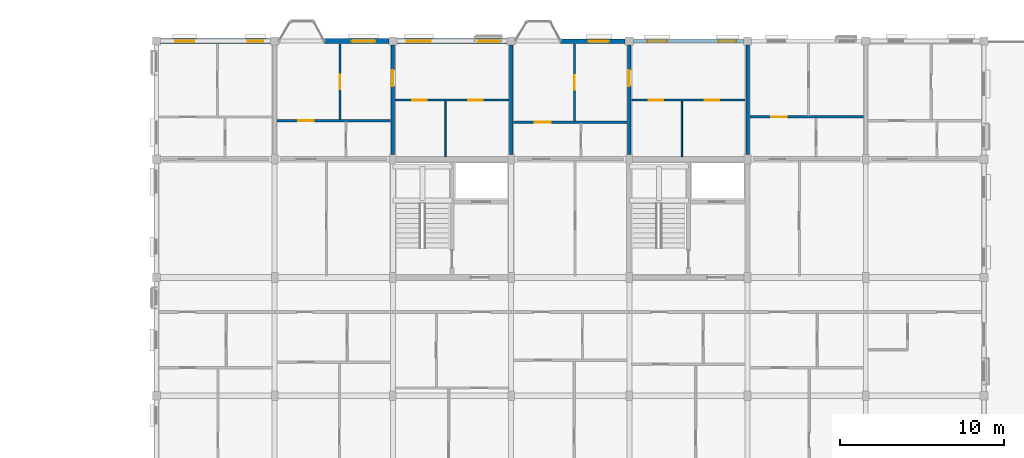
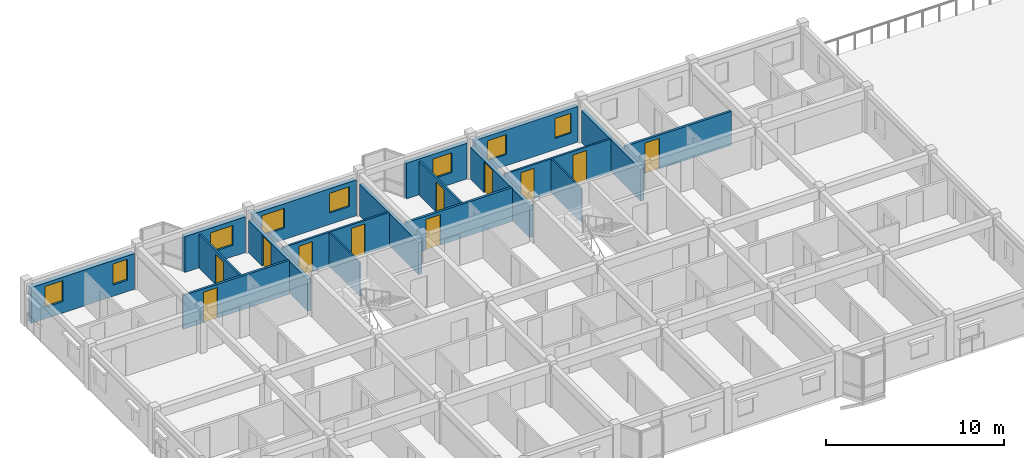
# One storey, part 56 of 64: 18 walls, 11 doors, 8 windows, 19 openings.
"""IFC4 building model written with IfcOpenShell, lengths in metres."""

import ifcopenshell
import ifcopenshell.guid

model = None  # the IFC model being written
_history = None  # IfcOwnerHistory: only IFC2X3 demands one
_inside = {}  # id of a spatial element -> (the spatial element, [elements in it])
_under = {}  # id of a project, library or spatial element -> (it, [spatial elements below it])
_declared = {}  # id of a project -> (the project, [libraries it declares])
_typed = {}  # id of a type object -> (the type object, [elements of that type])
_made_of = {}  # id of a material, layer set ... -> (it, [elements and type objects made of it])


def new_model(schema):
    """Start an empty IFC model of exactly this schema.

    Asked for "IFC4X3", IfcOpenShell would pick the latest addendum, in which some entities
    have other attributes; the version numbers below select the first issue.
    IFC2X3 requires an IfcOwnerHistory on every rooted entity: one is made here for all.
    """
    global model, _history
    if schema == "IFC4X3":
        model = ifcopenshell.file(schema_version=(4, 3, 0, 0))
    else:
        model = ifcopenshell.file(schema=schema)
    _inside.clear()
    _under.clear()
    _declared.clear()
    _typed.clear()
    _made_of.clear()
    _history = None
    if model.schema == "IFC2X3":
        org = make("IfcOrganization", Name="unknown")
        user = make(
            "IfcPersonAndOrganization",
            ThePerson=make("IfcPerson", FamilyName="unknown"),
            TheOrganization=org,
        )
        app = make(
            "IfcApplication",
            ApplicationDeveloper=org,
            Version="unknown",
            ApplicationFullName="unknown",
            ApplicationIdentifier="unknown",
        )
        _history = make(
            "IfcOwnerHistory",
            OwningUser=user,
            OwningApplication=app,
            ChangeAction="ADDED",
            CreationDate=0,
        )
    return model


def make(cls, **values):
    """One entity of the class cls with the attributes given. An attribute that is None is left unset."""
    return model.create_entity(
        cls, **{name: value for name, value in values.items() if value is not None}
    )


def rooted(cls, **values):
    """An entity with a GlobalId (a new one), such as an element, a storey or a relation."""
    return make(cls, GlobalId=ifcopenshell.guid.new(), OwnerHistory=_history, **values)


def si_unit(unit_type, name, prefix=None):
    """IfcSIUnit, for example si_unit("LENGTHUNIT", "METRE", prefix="MILLI")."""
    return make("IfcSIUnit", UnitType=unit_type, Prefix=prefix, Name=name)


def assignment(units):
    """IfcUnitAssignment: the units of a project."""
    return None if units is None else make("IfcUnitAssignment", Units=units)


def point(xyz):
    """IfcCartesianPoint."""
    return None if xyz is None else make("IfcCartesianPoint", Coordinates=xyz)


def direction(xyz):
    """IfcDirection."""
    return None if xyz is None else make("IfcDirection", DirectionRatios=xyz)


def frame(location, z_axis=None, x_axis=None):
    """IfcAxis2Placement3D, a coordinate frame: its origin and axes. An axis left out is left unset."""
    return make(
        "IfcAxis2Placement3D",
        Location=point(location),
        Axis=direction(z_axis),
        RefDirection=direction(x_axis),
    )


def frame_2d(location, x_axis=None):
    """IfcAxis2Placement2D, a coordinate frame in the plane: its origin and x axis."""
    return make(
        "IfcAxis2Placement2D", Location=point(location), RefDirection=direction(x_axis)
    )


def origin():
    """The frame at (0, 0, 0) with its axes left unset."""
    return frame((0.0, 0.0, 0.0))


def place(relative_to, where):
    """IfcLocalPlacement: puts the frame where relative to a parent placement (None: the world)."""
    return make(
        "IfcLocalPlacement", PlacementRelTo=relative_to, RelativePlacement=where
    )


def context(
    kind, dimensions, precision=None, world=None, true_north=None, identifier=None
):
    """IfcGeometricRepresentationContext, for example the 3D "Model" context."""
    return make(
        "IfcGeometricRepresentationContext",
        ContextIdentifier=identifier,
        ContextType=kind,
        CoordinateSpaceDimension=dimensions,
        Precision=precision,
        WorldCoordinateSystem=world,
        TrueNorth=true_north,
    )


def subcontext(parent, identifier, kind, view, scale=None):
    """IfcGeometricRepresentationSubContext, for example "Body" below "Model"."""
    return make(
        "IfcGeometricRepresentationSubContext",
        ContextIdentifier=identifier,
        ContextType=kind,
        ParentContext=parent,
        TargetScale=scale,
        TargetView=view,
    )


def project(units=None, contexts=None):
    """IfcProject with its units and contexts."""
    return rooted(
        "IfcProject",
        Name="project",
        RepresentationContexts=contexts,
        UnitsInContext=assignment(units),
    )


def spatial(cls, under=None, at=None, **own):
    """A site, building, storey or space (cls), placed at a placement, below another one or the project."""
    s = rooted(cls, ObjectPlacement=at, **own)
    if under is not None:
        _under.setdefault(under.id(), (under, []))[1].append(s)
    return s


def profile(cls, at=None, kind="AREA", **sizes):
    """A parametric profile (cls). Its sizes go by their IFC names, for example OverallWidth=200.0."""
    return make(cls, ProfileType=kind, Position=at, **sizes)


def rectangle(**sizes):
    """IfcRectangleProfileDef."""
    return profile("IfcRectangleProfileDef", **sizes)


def extrude(swept, where, along, depth):
    """IfcExtrudedAreaSolid: the profile swept, set in the frame where, extruded along a direction by depth."""
    return make(
        "IfcExtrudedAreaSolid",
        SweptArea=swept,
        Position=where,
        ExtrudedDirection=direction(along),
        Depth=depth,
    )


def shape(context_of_items, identifier, shape_type, items):
    """IfcShapeRepresentation: the items that make up one representation, for example the "Body"."""
    return make(
        "IfcShapeRepresentation",
        ContextOfItems=context_of_items,
        RepresentationIdentifier=identifier,
        RepresentationType=shape_type,
        Items=items,
    )


def material(Name=None, Category=None):
    """IfcMaterial."""
    return make("IfcMaterial", Name=Name, Category=Category)


def layer(
    of_material, thickness, ventilated=None, Name=None, Category=None, Priority=None
):
    """IfcMaterialLayer: one layer of a wall or slab, of a material (None: an air gap)."""
    return make(
        "IfcMaterialLayer",
        Material=of_material,
        LayerThickness=thickness,
        IsVentilated=ventilated,
        Name=Name,
        Category=Category,
        Priority=Priority,
    )


def layer_set(layers, Name=None):
    """IfcMaterialLayerSet."""
    return make("IfcMaterialLayerSet", MaterialLayers=layers, LayerSetName=Name)


def made_of(thing, what):
    """Note that an element or type object is made of a material, layer set ...; save() writes the relation."""
    if what is not None:
        _made_of.setdefault(what.id(), (what, []))[1].append(thing)
    return thing


def type_object(cls, material=None, **own):
    """A type object (cls), such as IfcWallType, which elements share."""
    return made_of(rooted(cls, **own), material)


def element(
    cls,
    number,
    at=None,
    inside=None,
    cuts=None,
    type_object=None,
    material=None,
    context=None,
    identifier="Body",
    shape_type=None,
    held_by="IfcProductDefinitionShape",
    body=None,
    shapes=None,
    **own,
):
    """One element of the class cls, such as IfcWall. Its Tag is "e" and its number.

    at: its placement. inside: the storey or other place that contains it. cuts: it is an
    opening in that element (IfcRelVoidsElement). A single representation is given by context,
    identifier, shape_type and body (its items); several are given by shapes. held_by: the class
    of the entity that holds the representations. save() writes the other relations.
    """
    e = rooted(cls, Tag="e%d" % number, ObjectPlacement=at, **own)
    if body is not None:
        shapes = [shape(context, identifier, shape_type, body)]
    if shapes is not None:
        e.Representation = make(held_by, Representations=shapes)
    if inside is not None:
        _inside.setdefault(inside.id(), (inside, []))[1].append(e)
    if cuts is not None:
        rooted(
            "IfcRelVoidsElement", RelatingBuildingElement=cuts, RelatedOpeningElement=e
        )
    if type_object is not None:
        _typed.setdefault(type_object.id(), (type_object, []))[1].append(e)
    return made_of(e, material)


def fill(opening, filler):
    """IfcRelFillsElement: the door or window that sits in an opening."""
    return rooted(
        "IfcRelFillsElement",
        RelatingOpeningElement=opening,
        RelatedBuildingElement=filler,
    )


def aggregate(whole, parts):
    """IfcRelAggregates: a whole, such as a stair, and the parts it consists of."""
    return rooted("IfcRelAggregates", RelatingObject=whole, RelatedObjects=parts)


def save(model, path):
    """Write the relations noted so far, then the file.

    IfcRelAggregates (storeys below a building ...), IfcRelContainedInSpatialStructure (elements
    in a storey), IfcRelDefinesByType, IfcRelAssociatesMaterial and IfcRelDeclares: one each for
    every whole, place, type object, material and project.
    """
    for whole, parts in _under.values():
        aggregate(whole, parts)
    for where, things in _inside.values():
        rooted(
            "IfcRelContainedInSpatialStructure",
            RelatedElements=things,
            RelatingStructure=where,
        )
    for kind, things in _typed.values():
        rooted("IfcRelDefinesByType", RelatedObjects=things, RelatingType=kind)
    for what, things in _made_of.values():
        rooted("IfcRelAssociatesMaterial", RelatedObjects=things, RelatingMaterial=what)
    for by, libraries in _declared.values():
        rooted("IfcRelDeclares", RelatingContext=by, RelatedDefinitions=libraries)
    model.write(path)


model = new_model("IFC4")

# Units and contexts
model_context = context("Model", 3, precision=1e-05, world=origin(), true_north=direction((0.0, 1.0)))
body_context = subcontext(model_context, "Body", "Model", "MODEL_VIEW")
ifc_project = project(units=[si_unit("LENGTHUNIT", "METRE"), si_unit("AREAUNIT", "SQUARE_METRE"), si_unit("VOLUMEUNIT", "CUBIC_METRE"), si_unit("PLANEANGLEUNIT", "RADIAN"), si_unit("MASSUNIT", "GRAM", prefix="KILO"), si_unit("THERMODYNAMICTEMPERATUREUNIT", "KELVIN"), si_unit("POWERUNIT", "WATT")], contexts=[model_context])

# Site, building, storey
site_placement = place(None, origin())
site = spatial("IfcSite", under=ifc_project, at=site_placement, CompositionType="ELEMENT")
building_placement = place(site_placement, origin())
building = spatial("IfcBuilding", under=site, at=building_placement, Name="Tavuni Mirador Residences", CompositionType="ELEMENT")
storey_placement = place(building_placement, frame((0.0, 0.0, 26.550048828125)))
storey = spatial("IfcBuildingStorey", under=building, at=storey_placement, Name="L08", CompositionType="ELEMENT", Elevation=26.550048828125)

# Wall, openings, windows
ifc_material_1 = material(Name="Sgraffito lime-rendered precast concrete C40/50", Category="concrete")
ifc_layer_1 = layer(ifc_material_1, 0.2548828125, Name="Sgraffito lime-rendered precast concrete C40/50", Category="concrete")
ifc_layer_set_1 = layer_set([ifc_layer_1], Name="Sgraffito lime-rendered precast concrete C40/50")
wall_type_1 = type_object("IfcWallType", Name="WT-EXT-PC255", PredefinedType="SOLIDWALL", material=ifc_layer_set_1)
wall_1_placement = place(storey_placement, frame((46.550048828125, 172.800048828125, 0.0), z_axis=(0.0, 0.0, 1.0), x_axis=(-1.0, 0.0, 0.0)))
wall_1 = element("IfcWall", 1, at=wall_1_placement, inside=storey, type_object=wall_type_1, Name="EW-BLK-C-L08-N04", PredefinedType="SOLIDWALL", context=body_context, shape_type="SweptSolid", body=[
    extrude(rectangle(XDim=6.699951171875, YDim=0.2548828125, at=frame_2d((3.35009765625, 0.0))), origin(), (0.0, 0.0, 1.0), 2.454833984375),
])
opening_1_placement = place(wall_1_placement, frame((0.449951171875, 0.0, 0.780029296875)))
opening_1 = element("IfcOpeningElement", 2, at=opening_1_placement, cuts=wall_1, Name="Opening WN-19", PredefinedType="OPENING", context=body_context, shape_type="SweptSolid", body=[
    extrude(rectangle(XDim=1.06005859375, YDim=1.360107421875, at=frame_2d((0.530029296875, 0.68017578125))), frame((0.0, 0.137451171875, 0.0), z_axis=(0.0, -1.0, 0.0), x_axis=(1.0, 0.0, 0.0)), (0.0, 0.0, 1.0), 0.27490234375),
])
opening_2_placement = place(wall_1_placement, frame((4.64990234375, 0.0, 0.780029296875)))
opening_2 = element("IfcOpeningElement", 3, at=opening_2_placement, cuts=wall_1, Name="Opening WN-21", PredefinedType="OPENING", context=body_context, shape_type="SweptSolid", body=[
    extrude(rectangle(XDim=1.219970703125, YDim=1.360107421875, at=frame_2d((0.60986328125, 0.68017578125))), frame((0.0, 0.137451171875, 0.0), z_axis=(0.0, -1.0, 0.0), x_axis=(1.0, 0.0, 0.0)), (0.0, 0.0, 1.0), 0.27490234375),
])
ifc_material_2 = material(Name="Laminated solar-control glass", Category="glass")
window_type_1 = type_object("IfcWindowType", Name="WNT-19", PartitioningType="SINGLE_PANEL", PredefinedType="WINDOW", material=ifc_material_2)
window_1_placement = place(opening_1_placement, origin())
window_1 = element("IfcWindow", 4, at=window_1_placement, inside=storey, type_object=window_type_1, Name="WIN-1210", OverallHeight=1.360107421875, OverallWidth=1.06005859375, PartitioningType="SINGLE_PANEL", PredefinedType="WINDOW", context=body_context, shape_type="SweptSolid", body=[
    extrude(rectangle(XDim=1.06005859375, YDim=1.360107421875, at=frame_2d((0.530029296875, 0.68017578125))), frame((0.0, 0.030029296875, 0.0), z_axis=(0.0, -1.0, 0.0), x_axis=(1.0, 0.0, 0.0)), (0.0, 0.0, 1.0), 0.06005859375),
])
fill(opening_1, window_1)
window_type_2 = type_object("IfcWindowType", Name="WNT-21", PartitioningType="SINGLE_PANEL", PredefinedType="WINDOW", material=ifc_material_2)
window_2_placement = place(opening_2_placement, origin())
window_2 = element("IfcWindow", 5, at=window_2_placement, inside=storey, type_object=window_type_2, Name="WIN-1211", OverallHeight=1.360107421875, OverallWidth=1.219970703125, PartitioningType="SINGLE_PANEL", PredefinedType="WINDOW", context=body_context, shape_type="SweptSolid", body=[
    extrude(rectangle(XDim=1.219970703125, YDim=1.360107421875, at=frame_2d((0.60986328125, 0.68017578125))), frame((0.0, 0.030029296875, 0.0), z_axis=(0.0, -1.0, 0.0), x_axis=(1.0, 0.0, 0.0)), (0.0, 0.0, 1.0), 0.06005859375),
])
fill(opening_2, window_2)

# Wall, opening, window
ifc_layer_2 = layer(ifc_material_1, 0.27490234375, Name="Sgraffito lime-rendered precast concrete C40/50", Category="concrete")
ifc_layer_set_2 = layer_set([ifc_layer_2], Name="Sgraffito lime-rendered precast concrete C40/50")
wall_type_2 = type_object("IfcWallType", Name="WT-EXT-PC275", PredefinedType="SOLIDWALL", material=ifc_layer_set_2)
wall_2_placement = place(storey_placement, frame((39.35009765625, 172.800048828125, 0.0), z_axis=(0.0, 0.0, 1.0), x_axis=(-1.0, 0.0, 0.0)))
wall_2 = element("IfcWall", 6, at=wall_2_placement, inside=storey, type_object=wall_type_2, Name="EW-BLK-C-L08-N03", PredefinedType="SOLIDWALL", context=body_context, shape_type="SweptSolid", body=[
    extrude(rectangle(XDim=3.93017578125, YDim=0.27490234375, at=frame_2d((1.965087890625, 0.0))), origin(), (0.0, 0.0, 1.0), 2.454833984375),
])
opening_3_placement = place(wall_2_placement, frame((0.989990234375, 0.0, 0.780029296875)))
opening_3 = element("IfcOpeningElement", 7, at=opening_3_placement, cuts=wall_2, Name="Opening WN-21", PredefinedType="OPENING", context=body_context, shape_type="SweptSolid", body=[
    extrude(rectangle(XDim=1.219970703125, YDim=1.360107421875, at=frame_2d((0.60986328125, 0.68017578125))), frame((0.0, 0.1474609375, 0.0), z_axis=(0.0, -1.0, 0.0), x_axis=(1.0, 0.0, 0.0)), (0.0, 0.0, 1.0), 0.294921875),
])
window_3_placement = place(opening_3_placement, origin())
window_3 = element("IfcWindow", 8, at=window_3_placement, inside=storey, type_object=window_type_2, Name="WIN-1212", OverallHeight=1.360107421875, OverallWidth=1.219970703125, PartitioningType="SINGLE_PANEL", PredefinedType="WINDOW", context=body_context, shape_type="SweptSolid", body=[
    extrude(rectangle(XDim=1.219970703125, YDim=1.360107421875, at=frame_2d((0.60986328125, 0.68017578125))), frame((0.0, 0.030029296875, 0.0), z_axis=(0.0, -1.0, 0.0), x_axis=(1.0, 0.0, 0.0)), (0.0, 0.0, 1.0), 0.06005859375),
])
fill(opening_3, window_3)

# Wall, openings, windows
ifc_layer_3 = layer(ifc_material_1, 0.2900390625, Name="Sgraffito lime-rendered precast concrete C40/50", Category="concrete")
ifc_layer_set_3 = layer_set([ifc_layer_3], Name="Sgraffito lime-rendered precast concrete C40/50")
wall_type_3 = type_object("IfcWallType", Name="WT-EXT-PC290", PredefinedType="SOLIDWALL", material=ifc_layer_set_3)
wall_3_placement = place(storey_placement, frame((32.14990234375, 172.800048828125, 0.0), z_axis=(0.0, 0.0, 1.0), x_axis=(-1.0, 0.0, 0.0)))
wall_3 = element("IfcWall", 9, at=wall_3_placement, inside=storey, type_object=wall_type_3, Name="EW-BLK-C-L08-N02", PredefinedType="SOLIDWALL", context=body_context, shape_type="SweptSolid", body=[
    extrude(rectangle(XDim=6.699951171875, YDim=0.2900390625, at=frame_2d((3.35009765625, 0.0))), origin(), (0.0, 0.0, 1.0), 2.454833984375),
])
opening_4_placement = place(wall_3_placement, frame((0.449951171875, 0.0, 0.780029296875)))
opening_4 = element("IfcOpeningElement", 10, at=opening_4_placement, cuts=wall_3, Name="Opening WN-22", PredefinedType="OPENING", context=body_context, shape_type="SweptSolid", body=[
    extrude(rectangle(XDim=1.300048828125, YDim=1.360107421875, at=frame_2d((0.64990234375, 0.68017578125))), frame((0.0, 0.155029296875, 0.0), z_axis=(0.0, -1.0, 0.0), x_axis=(1.0, 0.0, 0.0)), (0.0, 0.0, 1.0), 0.31005859375),
])
opening_5_placement = place(wall_3_placement, frame((4.64990234375, 0.0, 0.780029296875)))
opening_5 = element("IfcOpeningElement", 11, at=opening_5_placement, cuts=wall_3, Name="Opening WN-24", PredefinedType="OPENING", context=body_context, shape_type="SweptSolid", body=[
    extrude(rectangle(XDim=1.4599609375, YDim=1.360107421875, at=frame_2d((0.72998046875, 0.68017578125))), frame((0.0, 0.155029296875, 0.0), z_axis=(0.0, -1.0, 0.0), x_axis=(1.0, 0.0, 0.0)), (0.0, 0.0, 1.0), 0.31005859375),
])
window_type_3 = type_object("IfcWindowType", Name="WNT-22", PartitioningType="SINGLE_PANEL", PredefinedType="WINDOW", material=ifc_material_2)
window_4_placement = place(opening_4_placement, origin())
window_4 = element("IfcWindow", 12, at=window_4_placement, inside=storey, type_object=window_type_3, Name="WIN-1213", OverallHeight=1.360107421875, OverallWidth=1.300048828125, PartitioningType="SINGLE_PANEL", PredefinedType="WINDOW", context=body_context, shape_type="SweptSolid", body=[
    extrude(rectangle(XDim=1.300048828125, YDim=1.360107421875, at=frame_2d((0.64990234375, 0.68017578125))), frame((0.0, 0.030029296875, 0.0), z_axis=(0.0, -1.0, 0.0), x_axis=(1.0, 0.0, 0.0)), (0.0, 0.0, 1.0), 0.06005859375),
])
fill(opening_4, window_4)
window_type_4 = type_object("IfcWindowType", Name="WNT-24", PartitioningType="SINGLE_PANEL", PredefinedType="WINDOW", material=ifc_material_2)
window_5_placement = place(opening_5_placement, origin())
window_5 = element("IfcWindow", 13, at=window_5_placement, inside=storey, type_object=window_type_4, Name="WIN-1214", OverallHeight=1.360107421875, OverallWidth=1.4599609375, PartitioningType="SINGLE_PANEL", PredefinedType="WINDOW", context=body_context, shape_type="SweptSolid", body=[
    extrude(rectangle(XDim=1.4599609375, YDim=1.360107421875, at=frame_2d((0.72998046875, 0.68017578125))), frame((0.0, 0.030029296875, 0.0), z_axis=(0.0, -1.0, 0.0), x_axis=(1.0, 0.0, 0.0)), (0.0, 0.0, 1.0), 0.06005859375),
])
fill(opening_5, window_5)

# Wall, opening, window
ifc_layer_4 = layer(ifc_material_1, 0.304931640625, Name="Sgraffito lime-rendered precast concrete C40/50", Category="concrete")
ifc_layer_set_4 = layer_set([ifc_layer_4], Name="Sgraffito lime-rendered precast concrete C40/50")
wall_type_4 = type_object("IfcWallType", Name="WT-EXT-PC305", PredefinedType="SOLIDWALL", material=ifc_layer_set_4)
wall_4_placement = place(storey_placement, frame((24.949951171875, 172.800048828125, 0.0), z_axis=(0.0, 0.0, 1.0), x_axis=(-1.0, 0.0, 0.0)))
wall_4 = element("IfcWall", 14, at=wall_4_placement, inside=storey, type_object=wall_type_4, Name="EW-BLK-C-L08-N01", PredefinedType="SOLIDWALL", context=body_context, shape_type="SweptSolid", body=[
    extrude(rectangle(XDim=3.929931640625, YDim=0.304931640625, at=frame_2d((1.96484375, 0.0))), origin(), (0.0, 0.0, 1.0), 2.454833984375),
])
opening_6_placement = place(wall_4_placement, frame((0.81005859375, 0.0, 0.780029296875)))
opening_6 = element("IfcOpeningElement", 15, at=opening_6_placement, cuts=wall_4, Name="Opening WN-24", PredefinedType="OPENING", context=body_context, shape_type="SweptSolid", body=[
    extrude(rectangle(XDim=1.4599609375, YDim=1.360107421875, at=frame_2d((0.72998046875, 0.68017578125))), frame((0.0, 0.16259765625, 0.0), z_axis=(0.0, -1.0, 0.0), x_axis=(1.0, 0.0, 0.0)), (0.0, 0.0, 1.0), 0.324951171875),
])
window_6_placement = place(opening_6_placement, origin())
window_6 = element("IfcWindow", 16, at=window_6_placement, inside=storey, type_object=window_type_4, Name="WIN-1215", OverallHeight=1.360107421875, OverallWidth=1.4599609375, PartitioningType="SINGLE_PANEL", PredefinedType="WINDOW", context=body_context, shape_type="SweptSolid", body=[
    extrude(rectangle(XDim=1.4599609375, YDim=1.360107421875, at=frame_2d((0.72998046875, 0.68017578125))), frame((0.0, 0.030029296875, 0.0), z_axis=(0.0, -1.0, 0.0), x_axis=(1.0, 0.0, 0.0)), (0.0, 0.0, 1.0), 0.06005859375),
])
fill(opening_6, window_6)

# Wall, openings, windows
ifc_layer_5 = layer(ifc_material_1, 0.31494140625, Name="Sgraffito lime-rendered precast concrete C40/50", Category="concrete")
ifc_layer_set_5 = layer_set([ifc_layer_5], Name="Sgraffito lime-rendered precast concrete C40/50")
wall_type_5 = type_object("IfcWallType", Name="WT-EXT-PC315", PredefinedType="SOLIDWALL", material=ifc_layer_set_5)
wall_5_placement = place(storey_placement, frame((17.75, 172.800048828125, 0.0), z_axis=(0.0, 0.0, 1.0), x_axis=(-1.0, 0.0, 0.0)))
wall_5 = element("IfcWall", 17, at=wall_5_placement, inside=storey, type_object=wall_type_5, Name="EW-BLK-C-L08-N00", PredefinedType="SOLIDWALL", context=body_context, shape_type="SweptSolid", body=[
    extrude(rectangle(XDim=6.699951171875, YDim=0.31494140625, at=frame_2d((3.35009765625, 0.0))), origin(), (0.0, 0.0, 1.0), 2.454833984375),
])
opening_7_placement = place(wall_5_placement, frame((0.449951171875, 0.0, 0.780029296875)))
opening_7 = element("IfcOpeningElement", 18, at=opening_7_placement, cuts=wall_5, Name="Opening WN-25", PredefinedType="OPENING", context=body_context, shape_type="SweptSolid", body=[
    extrude(rectangle(XDim=0.93994140625, YDim=1.43994140625, at=frame_2d((0.469970703125, 0.719970703125))), frame((0.0, 0.16748046875, 0.0), z_axis=(0.0, -1.0, 0.0), x_axis=(1.0, 0.0, 0.0)), (0.0, 0.0, 1.0), 0.3349609375),
])
opening_8_placement = place(wall_5_placement, frame((4.64990234375, 0.0, 0.780029296875)))
opening_8 = element("IfcOpeningElement", 19, at=opening_8_placement, cuts=wall_5, Name="Opening WN-27", PredefinedType="OPENING", context=body_context, shape_type="SweptSolid", body=[
    extrude(rectangle(XDim=1.14990234375, YDim=1.43994140625, at=frame_2d((0.574951171875, 0.719970703125))), frame((0.0, 0.16748046875, 0.0), z_axis=(0.0, -1.0, 0.0), x_axis=(1.0, 0.0, 0.0)), (0.0, 0.0, 1.0), 0.3349609375),
])
window_type_5 = type_object("IfcWindowType", Name="WNT-25", PartitioningType="SINGLE_PANEL", PredefinedType="WINDOW", material=ifc_material_2)
window_7_placement = place(opening_7_placement, origin())
window_7 = element("IfcWindow", 20, at=window_7_placement, inside=storey, type_object=window_type_5, Name="WIN-1216", OverallHeight=1.43994140625, OverallWidth=0.93994140625, PartitioningType="SINGLE_PANEL", PredefinedType="WINDOW", context=body_context, shape_type="SweptSolid", body=[
    extrude(rectangle(XDim=0.93994140625, YDim=1.43994140625, at=frame_2d((0.469970703125, 0.719970703125))), frame((0.0, 0.030029296875, 0.0), z_axis=(0.0, -1.0, 0.0), x_axis=(1.0, 0.0, 0.0)), (0.0, 0.0, 1.0), 0.06005859375),
])
fill(opening_7, window_7)
window_type_6 = type_object("IfcWindowType", Name="WNT-27", PartitioningType="SINGLE_PANEL", PredefinedType="WINDOW", material=ifc_material_2)
window_8_placement = place(opening_8_placement, origin())
window_8 = element("IfcWindow", 21, at=window_8_placement, inside=storey, type_object=window_type_6, Name="WIN-1217", OverallHeight=1.43994140625, OverallWidth=1.14990234375, PartitioningType="SINGLE_PANEL", PredefinedType="WINDOW", context=body_context, shape_type="SweptSolid", body=[
    extrude(rectangle(XDim=1.14990234375, YDim=1.43994140625, at=frame_2d((0.574951171875, 0.719970703125))), frame((0.0, 0.030029296875, 0.0), z_axis=(0.0, -1.0, 0.0), x_axis=(1.0, 0.0, 0.0)), (0.0, 0.0, 1.0), 0.06005859375),
])
fill(opening_8, window_8)

# Walls
ifc_material_3 = material(Name="Acoustic gypsum and concrete block partition", Category="concrete")
ifc_layer_6 = layer(ifc_material_3, 0.094970703125, Name="Acoustic gypsum and concrete block partition", Category="concrete")
ifc_layer_set_6 = layer_set([ifc_layer_6], Name="Acoustic gypsum and concrete block partition")
wall_type_6 = type_object("IfcWallType", Name="WT-PART095", PredefinedType="PARTITIONING", material=ifc_layer_set_6)
for number, where, z_axis, x_axis, name in (
    (22, (28.39990234375, 165.739990234375, 0.0), (0.0, 0.0, 1.0), (0.0, 1.0, 0.0), "PW-BLK-C-L08-NC02-V"),
    (23, (42.800048828125, 165.739990234375, 0.0), (0.0, 0.0, 1.0), (0.0, 1.0, 0.0), "PW-BLK-C-L08-NC04-V"),
):
    element("IfcWall", number, at=place(storey_placement, frame(where, z_axis=z_axis, x_axis=x_axis)), inside=storey, type_object=wall_type_6, Name=name, PredefinedType="PARTITIONING", context=body_context, shape_type="SweptSolid", body=[
        extrude(rectangle(XDim=3.389892578125, YDim=0.094970703125, at=frame_2d((1.69482421875, 0.0))), origin(), (0.0, 0.0, 1.0), 2.320068359375),
    ])

# Wall, opening, door
ifc_layer_7 = layer(ifc_material_3, 0.125, Name="Acoustic gypsum and concrete block partition", Category="concrete")
ifc_layer_set_7 = layer_set([ifc_layer_7], Name="Acoustic gypsum and concrete block partition")
wall_type_7 = type_object("IfcWallType", Name="WT-PART125", PredefinedType="PARTITIONING", material=ifc_layer_set_7)
wall_6_placement = place(storey_placement, frame((21.97998046875, 168.010009765625, 0.0), z_axis=(0.0, 0.0, 1.0), x_axis=(0.0, 1.0, 0.0)))
wall_6 = element("IfcWall", 24, at=wall_6_placement, inside=storey, type_object=wall_type_7, Name="PW-BLK-C-L08-N01-OUT", PredefinedType="PARTITIONING", context=body_context, shape_type="SweptSolid", body=[
    extrude(rectangle(XDim=4.614990234375, YDim=0.125, at=frame_2d((2.3076171875, 0.0))), origin(), (0.0, 0.0, 1.0), 2.320068359375),
])
opening_9_placement = place(wall_6_placement, frame((1.867431640625, 0.0, 0.0)))
opening_9 = element("IfcOpeningElement", 25, at=opening_9_placement, cuts=wall_6, Name="Opening D-08", PredefinedType="OPENING", context=body_context, shape_type="SweptSolid", body=[
    extrude(rectangle(XDim=0.8798828125, YDim=2.080078125, at=frame_2d((0.43994140625, 1.0400390625))), frame((0.0, 0.072509765625, 0.0), z_axis=(0.0, -1.0, 0.0), x_axis=(1.0, 0.0, 0.0)), (0.0, 0.0, 1.0), 0.14501953125),
])
ifc_material_4 = material(Name="Solid core iroko timber", Category="wood")
door_type_1 = type_object("IfcDoorType", Name="DT-BED880", OperationType="NOTDEFINED", PredefinedType="DOOR", material=ifc_material_4)
door_1_placement = place(opening_9_placement, origin())
door_1 = element("IfcDoor", 26, at=door_1_placement, inside=storey, type_object=door_type_1, Name="DR-4082", OperationType="SINGLE_SWING_LEFT", OverallHeight=2.080078125, OverallWidth=0.8798828125, PredefinedType="DOOR", context=body_context, shape_type="SweptSolid", body=[
    extrude(rectangle(XDim=0.8798828125, YDim=2.080078125, at=frame_2d((0.43994140625, 1.0400390625))), frame((0.0, 0.02490234375, 0.0), z_axis=(0.0, -1.0, 0.0), x_axis=(1.0, 0.0, 0.0)), (0.0, 0.0, 1.0), 0.050048828125),
])
fill(opening_9, door_1)

# Wall, openings, doors
wall_7_placement = place(storey_placement, frame((25.340087890625, 169.199951171875, 0.0), z_axis=(0.0, 0.0, 1.0), x_axis=(1.0, 0.0, 0.0)))
wall_7 = element("IfcWall", 27, at=wall_7_placement, inside=storey, type_object=wall_type_7, Name="PW-BLK-C-L08-NC02-M", PredefinedType="PARTITIONING", context=body_context, shape_type="SweptSolid", body=[
    extrude(rectangle(XDim=6.919921875, YDim=0.125, at=frame_2d((3.4599609375, 0.0))), origin(), (0.0, 0.0, 1.0), 2.320068359375),
])
opening_10_placement = place(wall_7_placement, frame((1.050048828125, 0.0, 0.0)))
opening_10 = element("IfcOpeningElement", 28, at=opening_10_placement, cuts=wall_7, Name="Opening D-10", PredefinedType="OPENING", context=body_context, shape_type="SweptSolid", body=[
    extrude(rectangle(XDim=0.8701171875, YDim=2.050048828125, at=frame_2d((0.43505859375, 1.02490234375))), frame((0.0, 0.072509765625, 0.0), z_axis=(0.0, -1.0, 0.0), x_axis=(1.0, 0.0, 0.0)), (0.0, 0.0, 1.0), 0.14501953125),
])
opening_11_placement = place(wall_7_placement, frame((4.449951171875, 0.0, 0.0)))
opening_11 = element("IfcOpeningElement", 29, at=opening_11_placement, cuts=wall_7, Name="Opening D-08", PredefinedType="OPENING", context=body_context, shape_type="SweptSolid", body=[
    extrude(rectangle(XDim=0.8798828125, YDim=2.080078125, at=frame_2d((0.43994140625, 1.0400390625))), frame((0.0, 0.072509765625, 0.0), z_axis=(0.0, -1.0, 0.0), x_axis=(1.0, 0.0, 0.0)), (0.0, 0.0, 1.0), 0.14501953125),
])
door_2_placement = place(opening_11_placement, origin())
door_2 = element("IfcDoor", 30, at=door_2_placement, inside=storey, type_object=door_type_1, Name="DR-4089", OperationType="SINGLE_SWING_RIGHT", OverallHeight=2.080078125, OverallWidth=0.8798828125, PredefinedType="DOOR", context=body_context, shape_type="SweptSolid", body=[
    extrude(rectangle(XDim=0.8798828125, YDim=2.080078125, at=frame_2d((0.43994140625, 1.0400390625))), frame((0.0, 0.02490234375, 0.0), z_axis=(0.0, -1.0, 0.0), x_axis=(1.0, 0.0, 0.0)), (0.0, 0.0, 1.0), 0.050048828125),
])
fill(opening_11, door_2)
door_type_2 = type_object("IfcDoorType", Name="DT-WC870", OperationType="NOTDEFINED", PredefinedType="DOOR", material=ifc_material_4)
door_3_placement = place(opening_10_placement, origin())
door_3 = element("IfcDoor", 31, at=door_3_placement, inside=storey, type_object=door_type_2, Name="DR-4088", OperationType="SINGLE_SWING_LEFT", OverallHeight=2.050048828125, OverallWidth=0.8701171875, PredefinedType="DOOR", context=body_context, shape_type="SweptSolid", body=[
    extrude(rectangle(XDim=0.8701171875, YDim=2.050048828125, at=frame_2d((0.43505859375, 1.02490234375))), frame((0.0, 0.02490234375, 0.0), z_axis=(0.0, -1.0, 0.0), x_axis=(1.0, 0.0, 0.0)), (0.0, 0.0, 1.0), 0.050048828125),
])
fill(opening_10, door_3)

# Wall, opening, door
wall_8_placement = place(storey_placement, frame((36.260009765625, 167.929931640625, 0.0), z_axis=(0.0, 0.0, 1.0), x_axis=(0.0, 1.0, 0.0)))
wall_8 = element("IfcWall", 32, at=wall_8_placement, inside=storey, type_object=wall_type_7, Name="PW-BLK-C-L08-N03-OUT", PredefinedType="PARTITIONING", context=body_context, shape_type="SweptSolid", body=[
    extrude(rectangle(XDim=4.695068359375, YDim=0.125, at=frame_2d((2.34765625, 0.0))), origin(), (0.0, 0.0, 1.0), 2.320068359375),
])
opening_12_placement = place(wall_8_placement, frame((1.8974609375, 0.0, 0.0)))
opening_12 = element("IfcOpeningElement", 33, at=opening_12_placement, cuts=wall_8, Name="Opening D-07", PredefinedType="OPENING", context=body_context, shape_type="SweptSolid", body=[
    extrude(rectangle(XDim=0.89990234375, YDim=2.10009765625, at=frame_2d((0.449951171875, 1.050048828125))), frame((0.0, 0.072509765625, 0.0), z_axis=(0.0, -1.0, 0.0), x_axis=(1.0, 0.0, 0.0)), (0.0, 0.0, 1.0), 0.14501953125),
])
door_type_3 = type_object("IfcDoorType", Name="DT-BED900", OperationType="NOTDEFINED", PredefinedType="DOOR", material=ifc_material_4)
door_4_placement = place(opening_12_placement, origin())
door_4 = element("IfcDoor", 34, at=door_4_placement, inside=storey, type_object=door_type_3, Name="DR-4094", OperationType="SINGLE_SWING_RIGHT", OverallHeight=2.10009765625, OverallWidth=0.89990234375, PredefinedType="DOOR", context=body_context, shape_type="SweptSolid", body=[
    extrude(rectangle(XDim=0.89990234375, YDim=2.10009765625, at=frame_2d((0.449951171875, 1.050048828125))), frame((0.0, 0.02490234375, 0.0), z_axis=(0.0, -1.0, 0.0), x_axis=(1.0, 0.0, 0.0)), (0.0, 0.0, 1.0), 0.050048828125),
])
fill(opening_12, door_4)

# Wall, openings, doors
wall_9_placement = place(storey_placement, frame((39.739990234375, 169.199951171875, 0.0), z_axis=(0.0, 0.0, 1.0), x_axis=(1.0, 0.0, 0.0)))
wall_9 = element("IfcWall", 35, at=wall_9_placement, inside=storey, type_object=wall_type_7, Name="PW-BLK-C-L08-NC04-M", PredefinedType="PARTITIONING", context=body_context, shape_type="SweptSolid", body=[
    extrude(rectangle(XDim=6.919921875, YDim=0.125, at=frame_2d((3.4599609375, 0.0))), origin(), (0.0, 0.0, 1.0), 2.320068359375),
])
opening_13_placement = place(wall_9_placement, frame((1.050048828125, 0.0, 0.0)))
opening_13 = element("IfcOpeningElement", 36, at=opening_13_placement, cuts=wall_9, Name="Opening D-10", PredefinedType="OPENING", context=body_context, shape_type="SweptSolid", body=[
    extrude(rectangle(XDim=0.8701171875, YDim=2.050048828125, at=frame_2d((0.43505859375, 1.02490234375))), frame((0.0, 0.072509765625, 0.0), z_axis=(0.0, -1.0, 0.0), x_axis=(1.0, 0.0, 0.0)), (0.0, 0.0, 1.0), 0.14501953125),
])
opening_14_placement = place(wall_9_placement, frame((4.449951171875, 0.0, 0.0)))
opening_14 = element("IfcOpeningElement", 37, at=opening_14_placement, cuts=wall_9, Name="Opening D-08", PredefinedType="OPENING", context=body_context, shape_type="SweptSolid", body=[
    extrude(rectangle(XDim=0.8798828125, YDim=2.080078125, at=frame_2d((0.43994140625, 1.0400390625))), frame((0.0, 0.072509765625, 0.0), z_axis=(0.0, -1.0, 0.0), x_axis=(1.0, 0.0, 0.0)), (0.0, 0.0, 1.0), 0.14501953125),
])
door_5_placement = place(opening_14_placement, origin())
door_5 = element("IfcDoor", 38, at=door_5_placement, inside=storey, type_object=door_type_1, Name="DR-4101", OperationType="SINGLE_SWING_RIGHT", OverallHeight=2.080078125, OverallWidth=0.8798828125, PredefinedType="DOOR", context=body_context, shape_type="SweptSolid", body=[
    extrude(rectangle(XDim=0.8798828125, YDim=2.080078125, at=frame_2d((0.43994140625, 1.0400390625))), frame((0.0, 0.02490234375, 0.0), z_axis=(0.0, -1.0, 0.0), x_axis=(1.0, 0.0, 0.0)), (0.0, 0.0, 1.0), 0.050048828125),
])
fill(opening_14, door_5)
door_6_placement = place(opening_13_placement, origin())
door_6 = element("IfcDoor", 39, at=door_6_placement, inside=storey, type_object=door_type_2, Name="DR-4100", OperationType="SINGLE_SWING_LEFT", OverallHeight=2.050048828125, OverallWidth=0.8701171875, PredefinedType="DOOR", context=body_context, shape_type="SweptSolid", body=[
    extrude(rectangle(XDim=0.8701171875, YDim=2.050048828125, at=frame_2d((0.43505859375, 1.02490234375))), frame((0.0, 0.02490234375, 0.0), z_axis=(0.0, -1.0, 0.0), x_axis=(1.0, 0.0, 0.0)), (0.0, 0.0, 1.0), 0.050048828125),
])
fill(opening_13, door_6)

# Wall, opening, door
ifc_layer_8 = layer(ifc_material_3, 0.14990234375, Name="Acoustic gypsum and concrete block partition", Category="concrete")
ifc_layer_set_8 = layer_set([ifc_layer_8], Name="Acoustic gypsum and concrete block partition")
wall_type_8 = type_object("IfcWallType", Name="WT-PART150", PredefinedType="PARTITIONING", material=ifc_layer_set_8)
wall_10_placement = place(storey_placement, frame((18.139892578125, 167.93994140625, 0.0), z_axis=(0.0, 0.0, 1.0), x_axis=(1.0, 0.0, 0.0)))
wall_10 = element("IfcWall", 40, at=wall_10_placement, inside=storey, type_object=wall_type_8, Name="PW-BLK-C-L08-N01-MID", PredefinedType="PARTITIONING", context=body_context, shape_type="SweptSolid", body=[
    extrude(rectangle(XDim=6.920166015625, YDim=0.14990234375, at=frame_2d((3.4599609375, 0.0))), origin(), (0.0, 0.0, 1.0), 2.320068359375),
])
opening_15_placement = place(wall_10_placement, frame((1.31005859375, 0.0, 0.0)))
opening_15 = element("IfcOpeningElement", 41, at=opening_15_placement, cuts=wall_10, Name="Opening D-06", PredefinedType="OPENING", context=body_context, shape_type="SweptSolid", body=[
    extrude(rectangle(XDim=0.919921875, YDim=2.10009765625, at=frame_2d((0.4599609375, 1.050048828125))), frame((0.0, 0.0849609375, 0.0), z_axis=(0.0, -1.0, 0.0), x_axis=(1.0, 0.0, 0.0)), (0.0, 0.0, 1.0), 0.169921875),
])
door_type_4 = type_object("IfcDoorType", Name="DT-INT920", OperationType="NOTDEFINED", PredefinedType="DOOR", material=ifc_material_4)
door_7_placement = place(opening_15_placement, origin())
door_7 = element("IfcDoor", 42, at=door_7_placement, inside=storey, type_object=door_type_4, Name="DR-4084", OperationType="SINGLE_SWING_RIGHT", OverallHeight=2.10009765625, OverallWidth=0.919921875, PredefinedType="DOOR", context=body_context, shape_type="SweptSolid", body=[
    extrude(rectangle(XDim=0.919921875, YDim=2.10009765625, at=frame_2d((0.4599609375, 1.050048828125))), frame((0.0, 0.02490234375, 0.0), z_axis=(0.0, -1.0, 0.0), x_axis=(1.0, 0.0, 0.0)), (0.0, 0.0, 1.0), 0.050048828125),
])
fill(opening_15, door_7)

wall_11_placement = place(storey_placement, frame((32.5400390625, 167.860107421875, 0.0), z_axis=(0.0, 0.0, 1.0), x_axis=(1.0, 0.0, 0.0)))
wall_11 = element("IfcWall", 43, at=wall_11_placement, inside=storey, type_object=wall_type_8, Name="PW-BLK-C-L08-N03-MID", PredefinedType="PARTITIONING", context=body_context, shape_type="SweptSolid", body=[
    extrude(rectangle(XDim=6.919921875, YDim=0.14990234375, at=frame_2d((3.4599609375, 0.0))), origin(), (0.0, 0.0, 1.0), 2.320068359375),
])
opening_16_placement = place(wall_11_placement, frame((1.31005859375, 0.0, 0.0)))
opening_16 = element("IfcOpeningElement", 44, at=opening_16_placement, cuts=wall_11, Name="Opening D-05", PredefinedType="OPENING", context=body_context, shape_type="SweptSolid", body=[
    extrude(rectangle(XDim=0.949951171875, YDim=2.10009765625, at=frame_2d((0.47509765625, 1.050048828125))), frame((0.0, 0.0849609375, 0.0), z_axis=(0.0, -1.0, 0.0), x_axis=(1.0, 0.0, 0.0)), (0.0, 0.0, 1.0), 0.169921875),
])
door_type_5 = type_object("IfcDoorType", Name="DT-INT950", OperationType="NOTDEFINED", PredefinedType="DOOR", material=ifc_material_4)
door_8_placement = place(opening_16_placement, origin())
door_8 = element("IfcDoor", 45, at=door_8_placement, inside=storey, type_object=door_type_5, Name="DR-4096", OperationType="SINGLE_SWING_LEFT", OverallHeight=2.10009765625, OverallWidth=0.949951171875, PredefinedType="DOOR", context=body_context, shape_type="SweptSolid", body=[
    extrude(rectangle(XDim=0.949951171875, YDim=2.10009765625, at=frame_2d((0.47509765625, 1.050048828125))), frame((0.0, 0.02490234375, 0.0), z_axis=(0.0, -1.0, 0.0), x_axis=(1.0, 0.0, 0.0)), (0.0, 0.0, 1.0), 0.050048828125),
])
fill(opening_16, door_8)

wall_12_placement = place(storey_placement, frame((46.93994140625, 168.179931640625, 0.0), z_axis=(0.0, 0.0, 1.0), x_axis=(1.0, 0.0, 0.0)))
wall_12 = element("IfcWall", 46, at=wall_12_placement, inside=storey, type_object=wall_type_8, Name="PW-BLK-C-L08-N05-MID", PredefinedType="PARTITIONING", context=body_context, shape_type="SweptSolid", body=[
    extrude(rectangle(XDim=6.920166015625, YDim=0.14990234375, at=frame_2d((3.4599609375, 0.0))), origin(), (0.0, 0.0, 1.0), 2.320068359375),
])
opening_17_placement = place(wall_12_placement, frame((1.31005859375, 0.0, 0.0)))
opening_17 = element("IfcOpeningElement", 47, at=opening_17_placement, cuts=wall_12, Name="Opening D-05", PredefinedType="OPENING", context=body_context, shape_type="SweptSolid", body=[
    extrude(rectangle(XDim=0.949951171875, YDim=2.10009765625, at=frame_2d((0.47509765625, 1.050048828125))), frame((0.0, 0.0849609375, 0.0), z_axis=(0.0, -1.0, 0.0), x_axis=(1.0, 0.0, 0.0)), (0.0, 0.0, 1.0), 0.169921875),
])
door_9_placement = place(opening_17_placement, origin())
door_9 = element("IfcDoor", 48, at=door_9_placement, inside=storey, type_object=door_type_5, Name="DR-4108", OperationType="SINGLE_SWING_LEFT", OverallHeight=2.10009765625, OverallWidth=0.949951171875, PredefinedType="DOOR", context=body_context, shape_type="SweptSolid", body=[
    extrude(rectangle(XDim=0.949951171875, YDim=2.10009765625, at=frame_2d((0.47509765625, 1.050048828125))), frame((0.0, 0.02490234375, 0.0), z_axis=(0.0, -1.0, 0.0), x_axis=(1.0, 0.0, 0.0)), (0.0, 0.0, 1.0), 0.050048828125),
])
fill(opening_17, door_9)

ifc_material_5 = material(Name="Precast concrete C40/50", Category="concrete")
ifc_layer_9 = layer(ifc_material_5, 0.215087890625, Name="Precast concrete C40/50", Category="concrete")
ifc_layer_set_9 = layer_set([ifc_layer_9], Name="Precast concrete C40/50")
wall_type_9 = type_object("IfcWallType", Name="WT-XW215", PredefinedType="SOLIDWALL", material=ifc_layer_set_9)
wall_13_placement = place(storey_placement, frame((25.199951171875, 165.89990234375, 0.0), z_axis=(0.0, 0.0, 1.0), x_axis=(0.0, 1.0, 0.0)))
wall_13 = element("IfcWall", 49, at=wall_13_placement, inside=storey, type_object=wall_type_9, Name="XW-BLK-C-L08-N-02", PredefinedType="SOLIDWALL", context=body_context, shape_type="SweptSolid", body=[
    extrude(rectangle(XDim=6.650146484375, YDim=0.215087890625, at=frame_2d((3.3251953125, 0.0))), origin(), (0.0, 0.0, 1.0), 2.18505859375),
])
opening_18_placement = place(wall_13_placement, frame((4.14990234375, 0.0, 0.0)))
opening_18 = element("IfcOpeningElement", 50, at=opening_18_placement, cuts=wall_13, Name="Opening D-04", PredefinedType="OPENING", context=body_context, shape_type="SweptSolid", body=[
    extrude(rectangle(XDim=0.97998046875, YDim=2.1201171875, at=frame_2d((0.489990234375, 1.06005859375))), frame((0.0, 0.11767578125, 0.0), z_axis=(0.0, -1.0, 0.0), x_axis=(1.0, 0.0, 0.0)), (0.0, 0.0, 1.0), 0.235107421875),
])
door_type_6 = type_object("IfcDoorType", Name="DT-FD60-980", OperationType="NOTDEFINED", PredefinedType="DOOR", material=ifc_material_4)
door_10_placement = place(opening_18_placement, origin())
door_10 = element("IfcDoor", 51, at=door_10_placement, inside=storey, type_object=door_type_6, Name="DR-4744", OperationType="SINGLE_SWING_LEFT", OverallHeight=2.1201171875, OverallWidth=0.97998046875, PredefinedType="DOOR", context=body_context, shape_type="SweptSolid", body=[
    extrude(rectangle(XDim=0.97998046875, YDim=2.1201171875, at=frame_2d((0.489990234375, 1.06005859375))), frame((0.0, 0.02490234375, 0.0), z_axis=(0.0, -1.0, 0.0), x_axis=(1.0, 0.0, 0.0)), (0.0, 0.0, 1.0), 0.050048828125),
])
fill(opening_18, door_10)

# Wall
wall_14_placement = place(storey_placement, frame((32.39990234375, 165.89990234375, 0.0), z_axis=(0.0, 0.0, 1.0), x_axis=(0.0, 1.0, 0.0)))
element("IfcWall", 52, at=wall_14_placement, inside=storey, type_object=wall_type_9, Name="XW-BLK-C-L08-N-03", PredefinedType="SOLIDWALL", context=body_context, shape_type="SweptSolid", body=[
    extrude(rectangle(XDim=6.650146484375, YDim=0.215087890625, at=frame_2d((3.3251953125, 0.0))), origin(), (0.0, 0.0, 1.0), 2.18505859375),
])

# Wall, opening, door
wall_15_placement = place(storey_placement, frame((39.60009765625, 165.89990234375, 0.0), z_axis=(0.0, 0.0, 1.0), x_axis=(0.0, 1.0, 0.0)))
wall_15 = element("IfcWall", 53, at=wall_15_placement, inside=storey, type_object=wall_type_9, Name="XW-BLK-C-L08-N-04", PredefinedType="SOLIDWALL", context=body_context, shape_type="SweptSolid", body=[
    extrude(rectangle(XDim=6.650146484375, YDim=0.215087890625, at=frame_2d((3.3251953125, 0.0))), origin(), (0.0, 0.0, 1.0), 2.18505859375),
])
opening_19_placement = place(wall_15_placement, frame((4.14990234375, 0.0, 0.0)))
opening_19 = element("IfcOpeningElement", 54, at=opening_19_placement, cuts=wall_15, Name="Opening D-04", PredefinedType="OPENING", context=body_context, shape_type="SweptSolid", body=[
    extrude(rectangle(XDim=0.97998046875, YDim=2.1201171875, at=frame_2d((0.489990234375, 1.06005859375))), frame((0.0, 0.11767578125, 0.0), z_axis=(0.0, -1.0, 0.0), x_axis=(1.0, 0.0, 0.0)), (0.0, 0.0, 1.0), 0.235107421875),
])
door_11_placement = place(opening_19_placement, origin())
door_11 = element("IfcDoor", 55, at=door_11_placement, inside=storey, type_object=door_type_6, Name="DR-4745", OperationType="SINGLE_SWING_RIGHT", OverallHeight=2.1201171875, OverallWidth=0.97998046875, PredefinedType="DOOR", context=body_context, shape_type="SweptSolid", body=[
    extrude(rectangle(XDim=0.97998046875, YDim=2.1201171875, at=frame_2d((0.489990234375, 1.06005859375))), frame((0.0, 0.02490234375, 0.0), z_axis=(0.0, -1.0, 0.0), x_axis=(1.0, 0.0, 0.0)), (0.0, 0.0, 1.0), 0.050048828125),
])
fill(opening_19, door_11)

# Wall
wall_16_placement = place(storey_placement, frame((46.800048828125, 165.89990234375, 0.0), z_axis=(0.0, 0.0, 1.0), x_axis=(0.0, 1.0, 0.0)))
element("IfcWall", 56, at=wall_16_placement, inside=storey, type_object=wall_type_9, Name="XW-BLK-C-L08-N-05", PredefinedType="SOLIDWALL", context=body_context, shape_type="SweptSolid", body=[
    extrude(rectangle(XDim=6.650146484375, YDim=0.215087890625, at=frame_2d((3.3251953125, 0.0))), origin(), (0.0, 0.0, 1.0), 2.18505859375),
])

save(model, "model.ifc")
